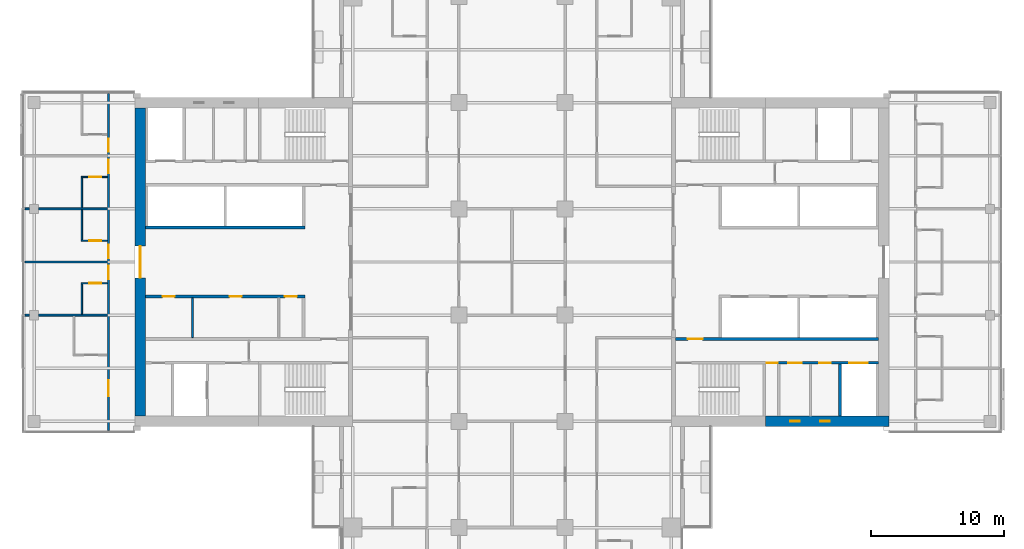
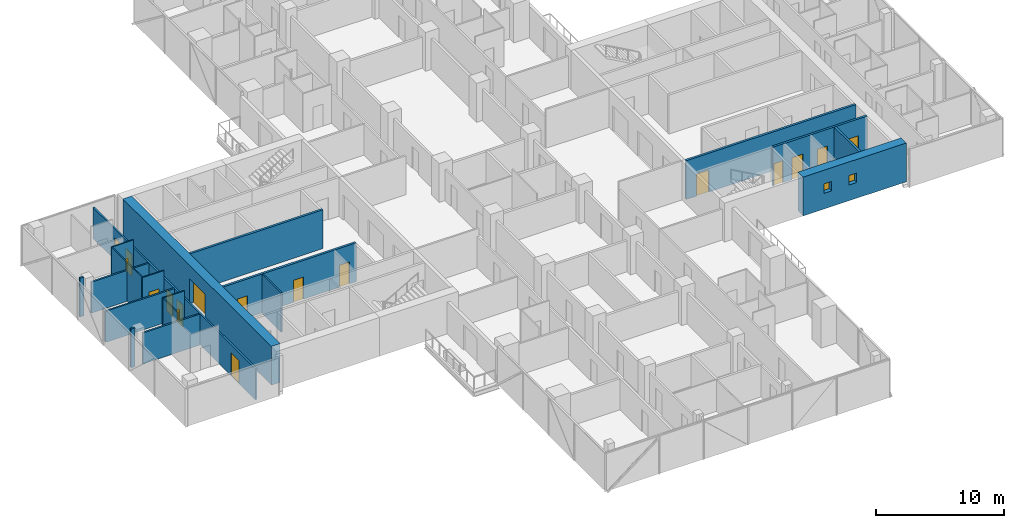
# One storey, part 17 of 27: 20 walls, 17 doors, 2 windows, 19 openings.
"""IFC4 building model written with IfcOpenShell, lengths in metres."""

from ifc_helpers import new_model, si_unit, direction, frame, frame_2d, origin, place, context, subcontext, project, spatial, rectangle, extrude, material, layer, layer_set, constituent, constituent_set, type_object, element, fill, save


model = new_model("IFC4")

# Units and contexts
model_context = context("Model", 3, precision=1e-05, world=origin(), true_north=direction((0.0, 1.0)))
body_context = subcontext(model_context, "Body", "Model", "MODEL_VIEW")
ifc_project = project(units=[si_unit("LENGTHUNIT", "METRE"), si_unit("AREAUNIT", "SQUARE_METRE"), si_unit("VOLUMEUNIT", "CUBIC_METRE"), si_unit("PLANEANGLEUNIT", "RADIAN"), si_unit("MASSUNIT", "GRAM", prefix="KILO")], contexts=[model_context])

# Site, building, storey
site_placement = place(None, origin())
site = spatial("IfcSite", under=ifc_project, at=site_placement, CompositionType="ELEMENT")
building_placement = place(site_placement, origin())
building = spatial("IfcBuilding", under=site, at=building_placement, Name="Crosswind Convention Tower", CompositionType="ELEMENT")
storey_placement = place(building_placement, frame((0.0, 0.0, 86.800048828125)))
storey = spatial("IfcBuildingStorey", under=building, at=storey_placement, Name="L16", CompositionType="ELEMENT", Elevation=86.800048828125)

# Wall, opening, door
ifc_material_1 = material(Name="Concrete C60/75", Category="concrete")
ifc_layer_1 = layer(ifc_material_1, 0.800048828125)
ifc_layer_set_1 = layer_set([ifc_layer_1], Name="Concrete C60/75")
wall_type_1 = type_object("IfcWallType", Name="Concrete core wall 800", PredefinedType="SHEAR", material=ifc_layer_set_1)
wall_1_placement = place(storey_placement, frame((97.0, 111.60009765625, 0.0), z_axis=(0.0, 0.0, 1.0), x_axis=(0.0, -1.0, 0.0)))
wall_1 = element("IfcWall", 1, at=wall_1_placement, inside=storey, type_object=wall_type_1, Name="Wall O W L16", PredefinedType="SHEAR", context=body_context, shape_type="SweptSolid", body=[
    extrude(rectangle(XDim=23.2001953125, YDim=0.800048828125, at=frame_2d((11.60009765625, 0.0))), origin(), (0.0, 0.0, 1.0), 3.699951171875),
])
opening_1_placement = place(wall_1_placement, frame((10.39990234375, 0.0, 0.0)))
opening_1 = element("IfcOpeningElement", 2, at=opening_1_placement, cuts=wall_1, Name="Opening D100", PredefinedType="OPENING", context=body_context, shape_type="SweptSolid", body=[
    extrude(rectangle(XDim=2.39990234375, YDim=2.39990234375, at=frame_2d((1.199951171875, 1.199951171875))), frame((0.0, 0.409912109375, 0.0), z_axis=(0.0, -1.0, 0.0), x_axis=(1.0, 0.0, 0.0)), (0.0, 0.0, 1.0), 0.820068359375),
])
ifc_material_2 = material(Name="Steel fire door with glazed vision panels", Category="steel")
door_type_1 = type_object("IfcDoorType", Name="Fire-rated double door 2400x2400", OperationType="DOUBLE_DOOR_SINGLE_SWING", PredefinedType="DOOR", material=ifc_material_2)
door_1_placement = place(opening_1_placement, origin())
door_1 = element("IfcDoor", 3, at=door_1_placement, inside=storey, type_object=door_type_1, Name="Lobby outer door L16", ObjectType="D100", OperationType="DOUBLE_DOOR_SINGLE_SWING", OverallHeight=2.39990234375, OverallWidth=2.39990234375, PredefinedType="DOOR", context=body_context, shape_type="SweptSolid", body=[
    extrude(rectangle(XDim=2.39990234375, YDim=2.39990234375, at=frame_2d((1.199951171875, 1.199951171875))), frame((0.0, 0.02490234375, 0.0), z_axis=(0.0, -1.0, 0.0), x_axis=(1.0, 0.0, 0.0)), (0.0, 0.0, 1.0), 0.050048828125),
])
fill(opening_1, door_1)

ifc_material_3 = material(Name="Concrete C50/60", Category="concrete")
ifc_layer_2 = layer(ifc_material_3, 0.199951171875)
ifc_layer_set_2 = layer_set([ifc_layer_2], Name="Concrete C50/60")
wall_type_2 = type_object("IfcWallType", Name="Concrete shaft and stair wall 200", PredefinedType="SHEAR", material=ifc_layer_set_2)
wall_2_placement = place(storey_placement, frame((137.300048828125, 94.199951171875, 0.0), z_axis=(0.0, 0.0, 1.0), x_axis=(1.0, 0.0, 0.0)))
wall_2 = element("IfcWall", 4, at=wall_2_placement, inside=storey, type_object=wall_type_2, Name="Wall HM E L16", PredefinedType="SHEAR", context=body_context, shape_type="SweptSolid", body=[
    extrude(rectangle(XDim=15.300048828125, YDim=0.199951171875, at=frame_2d((7.64990234375, 0.0))), origin(), (0.0, 0.0, 1.0), 3.699951171875),
])
opening_2_placement = place(wall_2_placement, frame((0.949951171875, 0.0, 0.0)))
opening_2 = element("IfcOpeningElement", 5, at=opening_2_placement, cuts=wall_2, Name="Opening D104", PredefinedType="OPENING", context=body_context, shape_type="SweptSolid", body=[
    extrude(rectangle(XDim=1.10009765625, YDim=2.10009765625, at=frame_2d((0.550048828125, 1.050048828125))), frame((0.0, 0.10986328125, 0.0), z_axis=(0.0, -1.0, 0.0), x_axis=(1.0, 0.0, 0.0)), (0.0, 0.0, 1.0), 0.219970703125),
])
ifc_material_4 = material(Name="Steel fire door", Category="steel")
door_type_2 = type_object("IfcDoorType", Name="Fire-rated single door 1100x2100", OperationType="NOTDEFINED", PredefinedType="DOOR", material=ifc_material_4)
door_2_placement = place(opening_2_placement, origin())
door_2 = element("IfcDoor", 6, at=door_2_placement, inside=storey, type_object=door_type_2, Name="Corridor door L16", ObjectType="D104", OperationType="SINGLE_SWING_LEFT", OverallHeight=2.10009765625, OverallWidth=1.10009765625, PredefinedType="DOOR", context=body_context, shape_type="SweptSolid", body=[
    extrude(rectangle(XDim=1.10009765625, YDim=2.10009765625, at=frame_2d((0.550048828125, 1.050048828125))), frame((0.0, 0.02490234375, 0.0), z_axis=(0.0, -1.0, 0.0), x_axis=(1.0, 0.0, 0.0)), (0.0, 0.0, 1.0), 0.050048828125),
])
fill(opening_2, door_2)

# Wall
wall_3_placement = place(storey_placement, frame((149.699951171875, 88.39990234375, 0.0), z_axis=(0.0, 0.0, 1.0), x_axis=(0.0, 1.0, 0.0)))
element("IfcWall", 7, at=wall_3_placement, inside=storey, type_object=wall_type_2, Name="Wall MFSW E L16", PredefinedType="SHEAR", context=body_context, shape_type="SweptSolid", body=[
    extrude(rectangle(XDim=3.900146484375, YDim=0.199951171875, at=frame_2d((1.9501953125, 0.0))), origin(), (0.0, 0.0, 1.0), 3.699951171875),
])

# Wall, openings, doors
wall_4_placement = place(storey_placement, frame((144.10009765625, 92.39990234375, 0.0), z_axis=(0.0, 0.0, 1.0), x_axis=(1.0, 0.0, 0.0)))
wall_4 = element("IfcWall", 8, at=wall_4_placement, inside=storey, type_object=wall_type_2, Name="Wall MCX E L16", PredefinedType="SHEAR", context=body_context, shape_type="SweptSolid", body=[
    extrude(rectangle(XDim=8.5, YDim=0.199951171875, at=frame_2d((4.25, 0.0))), origin(), (0.0, 0.0, 1.0), 3.699951171875),
])
opening_3_placement = place(wall_4_placement, frame((0.10009765625, 0.0, 0.0)))
opening_3 = element("IfcOpeningElement", 9, at=opening_3_placement, cuts=wall_4, Name="Opening D105", PredefinedType="OPENING", context=body_context, shape_type="SweptSolid", body=[
    extrude(rectangle(XDim=0.800048828125, YDim=2.10009765625, at=frame_2d((0.39990234375, 1.050048828125))), frame((0.0, 0.10986328125, 0.0), z_axis=(0.0, -1.0, 0.0), x_axis=(1.0, 0.0, 0.0)), (0.0, 0.0, 1.0), 0.219970703125),
])
opening_4_placement = place(wall_4_placement, frame((1.712646484375, 0.0, 0.0)))
opening_4 = element("IfcOpeningElement", 10, at=opening_4_placement, cuts=wall_4, Name="Opening D103", PredefinedType="OPENING", context=body_context, shape_type="SweptSolid", body=[
    extrude(rectangle(XDim=1.0, YDim=2.10009765625, at=frame_2d((0.5, 1.050048828125))), frame((0.0, 0.10986328125, 0.0), z_axis=(0.0, -1.0, 0.0), x_axis=(1.0, 0.0, 0.0)), (0.0, 0.0, 1.0), 0.219970703125),
])
opening_5_placement = place(wall_4_placement, frame((4.025146484375, 0.0, 0.0)))
opening_5 = element("IfcOpeningElement", 11, at=opening_5_placement, cuts=wall_4, Name="Opening D106", PredefinedType="OPENING", context=body_context, shape_type="SweptSolid", body=[
    extrude(rectangle(XDim=0.89990234375, YDim=2.10009765625, at=frame_2d((0.449951171875, 1.050048828125))), frame((0.0, 0.10986328125, 0.0), z_axis=(0.0, -1.0, 0.0), x_axis=(1.0, 0.0, 0.0)), (0.0, 0.0, 1.0), 0.219970703125),
])
opening_6_placement = place(wall_4_placement, frame((6.300048828125, 0.0, 0.0)))
opening_6 = element("IfcOpeningElement", 12, at=opening_6_placement, cuts=wall_4, Name="Opening LD2", PredefinedType="OPENING", context=body_context, shape_type="SweptSolid", body=[
    extrude(rectangle(XDim=1.39990234375, YDim=2.10009765625, at=frame_2d((0.699951171875, 1.050048828125))), frame((0.0, 0.10986328125, 0.0), z_axis=(0.0, -1.0, 0.0), x_axis=(1.0, 0.0, 0.0)), (0.0, 0.0, 1.0), 0.219970703125),
])
door_type_3 = type_object("IfcDoorType", Name="Fire-rated single door 1000x2100", OperationType="NOTDEFINED", PredefinedType="DOOR", material=ifc_material_4)
door_3_placement = place(opening_4_placement, frame((1.0, 0.0, 0.0), z_axis=(0.0, 0.0, 1.0), x_axis=(-1.0, 0.0, 0.0)))
door_3 = element("IfcDoor", 13, at=door_3_placement, inside=storey, type_object=door_type_3, Name="Door to accessible wc L16", ObjectType="D103", OperationType="SINGLE_SWING_LEFT", OverallHeight=2.10009765625, OverallWidth=1.0, PredefinedType="DOOR", context=body_context, shape_type="SweptSolid", body=[
    extrude(rectangle(XDim=1.0, YDim=2.10009765625, at=frame_2d((0.5, 1.050048828125))), frame((0.0, 0.02490234375, 0.0), z_axis=(0.0, -1.0, 0.0), x_axis=(1.0, 0.0, 0.0)), (0.0, 0.0, 1.0), 0.050048828125),
])
fill(opening_4, door_3)
ifc_material_5 = material(Name="Stainless steel", Category="steel")
door_type_4 = type_object("IfcDoorType", Name="Lift landing door 1400x2100", OperationType="DOUBLE_DOOR_SLIDING", PredefinedType="DOOR", material=ifc_material_5)
door_4_placement = place(opening_6_placement, origin())
door_4 = element("IfcDoor", 14, at=door_4_placement, inside=storey, type_object=door_type_4, Name="Landing door SV1 L16", ObjectType="LD2", OperationType="DOUBLE_DOOR_SLIDING", OverallHeight=2.10009765625, OverallWidth=1.39990234375, PredefinedType="DOOR", context=body_context, shape_type="SweptSolid", body=[
    extrude(rectangle(XDim=1.39990234375, YDim=2.10009765625, at=frame_2d((0.699951171875, 1.050048828125))), frame((0.0, 0.02490234375, 0.0), z_axis=(0.0, -1.0, 0.0), x_axis=(1.0, 0.0, 0.0)), (0.0, 0.0, 1.0), 0.050048828125),
])
fill(opening_6, door_4)
door_type_5 = type_object("IfcDoorType", Name="Riser access door 800x2100", OperationType="NOTDEFINED", PredefinedType="DOOR", material=ifc_material_4)
door_5_placement = place(opening_3_placement, frame((0.800048828125, 0.0, 0.0), z_axis=(0.0, 0.0, 1.0), x_axis=(-1.0, 0.0, 0.0)))
door_5 = element("IfcDoor", 15, at=door_5_placement, inside=storey, type_object=door_type_5, Name="Riser door L16", ObjectType="D105", OperationType="SINGLE_SWING_LEFT", OverallHeight=2.10009765625, OverallWidth=0.800048828125, PredefinedType="DOOR", context=body_context, shape_type="SweptSolid", body=[
    extrude(rectangle(XDim=0.800048828125, YDim=2.10009765625, at=frame_2d((0.39990234375, 1.050048828125))), frame((0.0, 0.02490234375, 0.0), z_axis=(0.0, -1.0, 0.0), x_axis=(1.0, 0.0, 0.0)), (0.0, 0.0, 1.0), 0.050048828125),
])
fill(opening_3, door_5)
ifc_material_6 = material(Name="Timber door", Category="wood")
door_type_6 = type_object("IfcDoorType", Name="Single leaf door 900x2100", OperationType="NOTDEFINED", PredefinedType="DOOR", material=ifc_material_6)
door_6_placement = place(opening_5_placement, frame((0.89990234375, 0.0, 0.0), z_axis=(0.0, 0.0, 1.0), x_axis=(-1.0, 0.0, 0.0)))
door_6 = element("IfcDoor", 16, at=door_6_placement, inside=storey, type_object=door_type_6, Name="Door to wc L16", ObjectType="D106", OperationType="SINGLE_SWING_LEFT", OverallHeight=2.10009765625, OverallWidth=0.89990234375, PredefinedType="DOOR", context=body_context, shape_type="SweptSolid", body=[
    extrude(rectangle(XDim=0.89990234375, YDim=2.10009765625, at=frame_2d((0.449951171875, 1.050048828125))), frame((0.0, 0.02490234375, 0.0), z_axis=(0.0, -1.0, 0.0), x_axis=(1.0, 0.0, 0.0)), (0.0, 0.0, 1.0), 0.050048828125),
])
fill(opening_5, door_6)

wall_5_placement = place(storey_placement, frame((109.39990234375, 97.39990234375, 0.0), z_axis=(0.0, 0.0, 1.0), x_axis=(-1.0, 0.0, 0.0)))
wall_5 = element("IfcWall", 17, at=wall_5_placement, inside=storey, type_object=wall_type_2, Name="Wall RPFRONT W L16", PredefinedType="SHEAR", context=body_context, shape_type="SweptSolid", body=[
    extrude(rectangle(XDim=12.0, YDim=0.199951171875, at=frame_2d((6.0, 0.0))), origin(), (0.0, 0.0, 1.0), 3.699951171875),
])
opening_7_placement = place(wall_5_placement, frame((0.603759765625, 0.0, 0.0)))
opening_7 = element("IfcOpeningElement", 18, at=opening_7_placement, cuts=wall_5, Name="Opening D106", PredefinedType="OPENING", context=body_context, shape_type="SweptSolid", body=[
    extrude(rectangle(XDim=0.89990234375, YDim=2.10009765625, at=frame_2d((0.449951171875, 1.050048828125))), frame((0.0, 0.10986328125, 0.0), z_axis=(0.0, -1.0, 0.0), x_axis=(1.0, 0.0, 0.0)), (0.0, 0.0, 1.0), 0.219970703125),
])
opening_8_placement = place(wall_5_placement, frame((4.764892578125, 0.0, 0.0)))
opening_8 = element("IfcOpeningElement", 19, at=opening_8_placement, cuts=wall_5, Name="Opening D106", PredefinedType="OPENING", context=body_context, shape_type="SweptSolid", body=[
    extrude(rectangle(XDim=0.89990234375, YDim=2.10009765625, at=frame_2d((0.449951171875, 1.050048828125))), frame((0.0, 0.10986328125, 0.0), z_axis=(0.0, -1.0, 0.0), x_axis=(1.0, 0.0, 0.0)), (0.0, 0.0, 1.0), 0.219970703125),
])
opening_9_placement = place(wall_5_placement, frame((9.811279296875, 0.0, 0.0)))
opening_9 = element("IfcOpeningElement", 20, at=opening_9_placement, cuts=wall_5, Name="Opening D106", PredefinedType="OPENING", context=body_context, shape_type="SweptSolid", body=[
    extrude(rectangle(XDim=0.89990234375, YDim=2.10009765625, at=frame_2d((0.449951171875, 1.050048828125))), frame((0.0, 0.10986328125, 0.0), z_axis=(0.0, -1.0, 0.0), x_axis=(1.0, 0.0, 0.0)), (0.0, 0.0, 1.0), 0.219970703125),
])
door_7_placement = place(opening_7_placement, origin())
door_7 = element("IfcDoor", 21, at=door_7_placement, inside=storey, type_object=door_type_6, Name="Door to ice and vending room L16", ObjectType="D106", OperationType="SINGLE_SWING_RIGHT", OverallHeight=2.10009765625, OverallWidth=0.89990234375, PredefinedType="DOOR", context=body_context, shape_type="SweptSolid", body=[
    extrude(rectangle(XDim=0.89990234375, YDim=2.10009765625, at=frame_2d((0.449951171875, 1.050048828125))), frame((0.0, 0.02490234375, 0.0), z_axis=(0.0, -1.0, 0.0), x_axis=(1.0, 0.0, 0.0)), (0.0, 0.0, 1.0), 0.050048828125),
])
fill(opening_7, door_7)
door_8_placement = place(opening_8_placement, origin())
door_8 = element("IfcDoor", 22, at=door_8_placement, inside=storey, type_object=door_type_6, Name="Door to storeroom L16", ObjectType="D106", OperationType="SINGLE_SWING_RIGHT", OverallHeight=2.10009765625, OverallWidth=0.89990234375, PredefinedType="DOOR", context=body_context, shape_type="SweptSolid", body=[
    extrude(rectangle(XDim=0.89990234375, YDim=2.10009765625, at=frame_2d((0.449951171875, 1.050048828125))), frame((0.0, 0.02490234375, 0.0), z_axis=(0.0, -1.0, 0.0), x_axis=(1.0, 0.0, 0.0)), (0.0, 0.0, 1.0), 0.050048828125),
])
fill(opening_8, door_8)
door_9_placement = place(opening_9_placement, origin())
door_9 = element("IfcDoor", 23, at=door_9_placement, inside=storey, type_object=door_type_6, Name="Door to housekeeping store L16", ObjectType="D106", OperationType="SINGLE_SWING_RIGHT", OverallHeight=2.10009765625, OverallWidth=0.89990234375, PredefinedType="DOOR", context=body_context, shape_type="SweptSolid", body=[
    extrude(rectangle(XDim=0.89990234375, YDim=2.10009765625, at=frame_2d((0.449951171875, 1.050048828125))), frame((0.0, 0.02490234375, 0.0), z_axis=(0.0, -1.0, 0.0), x_axis=(1.0, 0.0, 0.0)), (0.0, 0.0, 1.0), 0.050048828125),
])
fill(opening_9, door_9)

# Walls
wall_6_placement = place(storey_placement, frame((109.39990234375, 102.60009765625, 0.0), z_axis=(0.0, 0.0, 1.0), x_axis=(-1.0, 0.0, 0.0)))
element("IfcWall", 24, at=wall_6_placement, inside=storey, type_object=wall_type_2, Name="Wall RMFRONT W L16", PredefinedType="SHEAR", context=body_context, shape_type="SweptSolid", body=[
    extrude(rectangle(XDim=12.0, YDim=0.199951171875, at=frame_2d((6.0, 0.0))), origin(), (0.0, 0.0, 1.0), 3.699951171875),
])
ifc_material_7 = material(Name="Gypsum plasterboard partition", Category="gypsum")
ifc_layer_3 = layer(ifc_material_7, 0.125)
ifc_layer_set_3 = layer_set([ifc_layer_3], Name="Drywall partition wall 125")
wall_type_3 = type_object("IfcWallType", Name="Drywall partition wall 125", PredefinedType="PARTITIONING", material=ifc_layer_set_3)
wall_7_placement = place(storey_placement, frame((100.93994140625, 97.300048828125, 0.0), z_axis=(0.0, 0.0, 1.0), x_axis=(0.0, -1.0, 0.0)))
element("IfcWall", 25, at=wall_7_placement, inside=storey, type_object=wall_type_3, Name="Wall RPP2 W L16", PredefinedType="PARTITIONING", context=body_context, shape_type="SweptSolid", body=[
    extrude(rectangle(XDim=3.0, YDim=0.125, at=frame_2d((1.5, 0.0))), origin(), (0.0, 0.0, 1.0), 3.699951171875),
])
ifc_material_8 = material(Name="Acoustic plasterboard partition", Category="gypsum")
ifc_layer_4 = layer(ifc_material_8, 0.14990234375)
ifc_layer_set_4 = layer_set([ifc_layer_4], Name="GUEST ROOM WALL 150")
wall_type_4 = type_object("IfcWallType", Name="GUEST ROOM WALL 150", PredefinedType="PARTITIONING", material=ifc_layer_set_4)
wall_8_placement = place(storey_placement, frame((88.300048828125, 96.0, 0.0), z_axis=(0.0, 0.0, 1.0), x_axis=(1.0, 0.0, 0.0)))
element("IfcWall", 26, at=wall_8_placement, inside=storey, type_object=wall_type_4, Name="Guest Room Wall 21", PredefinedType="PARTITIONING", context=body_context, shape_type="SweptSolid", body=[
    extrude(rectangle(XDim=0.349853515625, YDim=0.14990234375, at=frame_2d((0.1748046875, 0.0))), origin(), (0.0, 0.0, 1.0), 3.699951171875),
])
wall_9_placement = place(storey_placement, frame((89.35009765625, 96.0, 0.0), z_axis=(0.0, 0.0, 1.0), x_axis=(1.0, 0.0, 0.0)))
element("IfcWall", 27, at=wall_9_placement, inside=storey, type_object=wall_type_4, Name="Guest Room Wall 22", PredefinedType="PARTITIONING", context=body_context, shape_type="SweptSolid", body=[
    extrude(rectangle(XDim=5.1748046875, YDim=0.14990234375, at=frame_2d((2.58740234375, 0.0))), origin(), (0.0, 0.0, 1.0), 2.956298828125),
])
wall_10_placement = place(storey_placement, frame((88.300048828125, 100.0, 0.0), z_axis=(0.0, 0.0, 1.0), x_axis=(1.0, 0.0, 0.0)))
element("IfcWall", 28, at=wall_10_placement, inside=storey, type_object=wall_type_4, Name="Guest Room Wall 28", PredefinedType="PARTITIONING", context=body_context, shape_type="SweptSolid", body=[
    extrude(rectangle(XDim=6.224853515625, YDim=0.14990234375, at=frame_2d((3.1123046875, 0.0))), origin(), (0.0, 0.0, 1.0), 2.962646484375),
])
wall_11_placement = place(storey_placement, frame((88.300048828125, 104.0, 0.0), z_axis=(0.0, 0.0, 1.0), x_axis=(1.0, 0.0, 0.0)))
element("IfcWall", 29, at=wall_11_placement, inside=storey, type_object=wall_type_4, Name="Guest Room Wall 34", PredefinedType="PARTITIONING", context=body_context, shape_type="SweptSolid", body=[
    extrude(rectangle(XDim=0.349853515625, YDim=0.14990234375, at=frame_2d((0.1748046875, 0.0))), origin(), (0.0, 0.0, 1.0), 3.699951171875),
])
wall_12_placement = place(storey_placement, frame((89.35009765625, 104.0, 0.0), z_axis=(0.0, 0.0, 1.0), x_axis=(1.0, 0.0, 0.0)))
element("IfcWall", 30, at=wall_12_placement, inside=storey, type_object=wall_type_4, Name="Guest Room Wall 35", PredefinedType="PARTITIONING", context=body_context, shape_type="SweptSolid", body=[
    extrude(rectangle(XDim=5.1748046875, YDim=0.14990234375, at=frame_2d((2.58740234375, 0.0))), origin(), (0.0, 0.0, 1.0), 2.956298828125),
])

# Wall, openings, doors
wall_13_placement = place(storey_placement, frame((94.60009765625, 87.300048828125, 0.0), z_axis=(0.0, 0.0, 1.0), x_axis=(0.0, 1.0, 0.0)))
wall_13 = element("IfcWall", 31, at=wall_13_placement, inside=storey, type_object=wall_type_4, Name="Guest Room Wall 71", PredefinedType="PARTITIONING", context=body_context, shape_type="SweptSolid", body=[
    extrude(rectangle(XDim=25.39990234375, YDim=0.14990234375, at=frame_2d((12.699951171875, 0.0))), origin(), (0.0, 0.0, 1.0), 2.956298828125),
])
opening_10_placement = place(wall_13_placement, frame((2.60009765625, 0.0, 0.0)))
opening_10 = element("IfcOpeningElement", 32, at=opening_10_placement, cuts=wall_13, Name="Opening 16.040", PredefinedType="OPENING", context=body_context, shape_type="SweptSolid", body=[
    extrude(rectangle(XDim=1.199951171875, YDim=2.199951171875, at=frame_2d((0.60009765625, 1.10009765625))), frame((0.0, 0.0849609375, 0.0), z_axis=(0.0, -1.0, 0.0), x_axis=(1.0, 0.0, 0.0)), (0.0, 0.0, 1.0), 0.169921875),
])
opening_11_placement = place(wall_13_placement, frame((11.39990234375, 0.0, 0.0)))
opening_11 = element("IfcOpeningElement", 33, at=opening_11_placement, cuts=wall_13, Name="Opening 16.042", PredefinedType="OPENING", context=body_context, shape_type="SweptSolid", body=[
    extrude(rectangle(XDim=1.0, YDim=2.10009765625, at=frame_2d((0.5, 1.050048828125))), frame((0.0, 0.0849609375, 0.0), z_axis=(0.0, -1.0, 0.0), x_axis=(1.0, 0.0, 0.0)), (0.0, 0.0, 1.0), 0.169921875),
])
opening_12_placement = place(wall_13_placement, frame((13.0, 0.0, 0.0)))
opening_12 = element("IfcOpeningElement", 34, at=opening_12_placement, cuts=wall_13, Name="Opening 16.044", PredefinedType="OPENING", context=body_context, shape_type="SweptSolid", body=[
    extrude(rectangle(XDim=1.0, YDim=2.10009765625, at=frame_2d((0.5, 1.050048828125))), frame((0.0, 0.0849609375, 0.0), z_axis=(0.0, -1.0, 0.0), x_axis=(1.0, 0.0, 0.0)), (0.0, 0.0, 1.0), 0.169921875),
])
opening_13_placement = place(wall_13_placement, frame((19.39990234375, 0.0, 0.0)))
opening_13 = element("IfcOpeningElement", 35, at=opening_13_placement, cuts=wall_13, Name="Opening 16.046", PredefinedType="OPENING", context=body_context, shape_type="SweptSolid", body=[
    extrude(rectangle(XDim=1.0, YDim=2.10009765625, at=frame_2d((0.5, 1.050048828125))), frame((0.0, 0.0849609375, 0.0), z_axis=(0.0, -1.0, 0.0), x_axis=(1.0, 0.0, 0.0)), (0.0, 0.0, 1.0), 0.169921875),
])
opening_14_placement = place(wall_13_placement, frame((21.0, 0.0, 0.0)))
opening_14 = element("IfcOpeningElement", 36, at=opening_14_placement, cuts=wall_13, Name="Opening 16.048", PredefinedType="OPENING", context=body_context, shape_type="SweptSolid", body=[
    extrude(rectangle(XDim=1.0, YDim=2.10009765625, at=frame_2d((0.5, 1.050048828125))), frame((0.0, 0.0849609375, 0.0), z_axis=(0.0, -1.0, 0.0), x_axis=(1.0, 0.0, 0.0)), (0.0, 0.0, 1.0), 0.169921875),
])
ifc_material_9 = material(Name="Timber fire door", Category="wood")
door_type_7 = type_object("IfcDoorType", Name="GUEST ROOM DOOR 1000X2100", OperationType="NOTDEFINED", PredefinedType="DOOR", material=ifc_material_9)
door_10_placement = place(opening_11_placement, origin())
door_10 = element("IfcDoor", 37, at=door_10_placement, inside=storey, type_object=door_type_7, Name="Door 16.042", ObjectType="D1", OperationType="SINGLE_SWING_RIGHT", OverallHeight=2.10009765625, OverallWidth=1.0, PredefinedType="DOOR", context=body_context, shape_type="SweptSolid", body=[
    extrude(rectangle(XDim=1.0, YDim=2.10009765625, at=frame_2d((0.5, 1.050048828125))), frame((0.0, 0.02490234375, 0.0), z_axis=(0.0, -1.0, 0.0), x_axis=(1.0, 0.0, 0.0)), (0.0, 0.0, 1.0), 0.050048828125),
])
fill(opening_11, door_10)
door_11_placement = place(opening_12_placement, origin())
door_11 = element("IfcDoor", 38, at=door_11_placement, inside=storey, type_object=door_type_7, Name="Door 16.044", ObjectType="D1", OperationType="SINGLE_SWING_RIGHT", OverallHeight=2.10009765625, OverallWidth=1.0, PredefinedType="DOOR", context=body_context, shape_type="SweptSolid", body=[
    extrude(rectangle(XDim=1.0, YDim=2.10009765625, at=frame_2d((0.5, 1.050048828125))), frame((0.0, 0.02490234375, 0.0), z_axis=(0.0, -1.0, 0.0), x_axis=(1.0, 0.0, 0.0)), (0.0, 0.0, 1.0), 0.050048828125),
])
fill(opening_12, door_11)
door_12_placement = place(opening_13_placement, origin())
door_12 = element("IfcDoor", 39, at=door_12_placement, inside=storey, type_object=door_type_7, Name="Door 16.046", ObjectType="D1", OperationType="SINGLE_SWING_RIGHT", OverallHeight=2.10009765625, OverallWidth=1.0, PredefinedType="DOOR", context=body_context, shape_type="SweptSolid", body=[
    extrude(rectangle(XDim=1.0, YDim=2.10009765625, at=frame_2d((0.5, 1.050048828125))), frame((0.0, 0.02490234375, 0.0), z_axis=(0.0, -1.0, 0.0), x_axis=(1.0, 0.0, 0.0)), (0.0, 0.0, 1.0), 0.050048828125),
])
fill(opening_13, door_12)
door_13_placement = place(opening_14_placement, origin())
door_13 = element("IfcDoor", 40, at=door_13_placement, inside=storey, type_object=door_type_7, Name="Door 16.048", ObjectType="D1", OperationType="SINGLE_SWING_RIGHT", OverallHeight=2.10009765625, OverallWidth=1.0, PredefinedType="DOOR", context=body_context, shape_type="SweptSolid", body=[
    extrude(rectangle(XDim=1.0, YDim=2.10009765625, at=frame_2d((0.5, 1.050048828125))), frame((0.0, 0.02490234375, 0.0), z_axis=(0.0, -1.0, 0.0), x_axis=(1.0, 0.0, 0.0)), (0.0, 0.0, 1.0), 0.050048828125),
])
fill(opening_14, door_13)
door_type_8 = type_object("IfcDoorType", Name="SUITE DOOR 1200X2200", OperationType="DOUBLE_DOOR_SINGLE_SWING", PredefinedType="DOOR", material=ifc_material_9)
door_14_placement = place(opening_10_placement, origin())
door_14 = element("IfcDoor", 41, at=door_14_placement, inside=storey, type_object=door_type_8, Name="Door 16.040", ObjectType="D14", OperationType="DOUBLE_DOOR_SINGLE_SWING", OverallHeight=2.199951171875, OverallWidth=1.199951171875, PredefinedType="DOOR", context=body_context, shape_type="SweptSolid", body=[
    extrude(rectangle(XDim=1.199951171875, YDim=2.199951171875, at=frame_2d((0.60009765625, 1.10009765625))), frame((0.0, 0.02490234375, 0.0), z_axis=(0.0, -1.0, 0.0), x_axis=(1.0, 0.0, 0.0)), (0.0, 0.0, 1.0), 0.050048828125),
])
fill(opening_10, door_14)

# Wall, openings, windows
ifc_constituent_1 = constituent(ifc_material_1, Name="Structure")
ifc_material_10 = material(Name="Terracotta rainscreen", Category="ceramic")
ifc_constituent_2 = constituent(ifc_material_10, Name="Facing")
ifc_constituent_set = constituent_set(constituents=[ifc_constituent_1, ifc_constituent_2], Name="Concrete C60/75, Terracotta rainscreen")
wall_type_5 = type_object("IfcWallType", Name="Terracotta rainscreen on concrete core wall 800", PredefinedType="SHEAR", material=ifc_constituent_set)
wall_14_placement = place(storey_placement, frame((144.10009765625, 88.0, 0.0), z_axis=(0.0, 0.0, 1.0), x_axis=(1.0, 0.0, 0.0)))
wall_14 = element("IfcWall", 42, at=wall_14_placement, inside=storey, type_object=wall_type_5, Name="Wall S2 E L16", PredefinedType="SHEAR", context=body_context, shape_type="SweptSolid", body=[
    extrude(rectangle(XDim=9.2998046875, YDim=0.800048828125, at=frame_2d((4.64990234375, 0.0))), origin(), (0.0, 0.0, 1.0), 3.699951171875),
])
opening_15_placement = place(wall_14_placement, frame((1.86279296875, 0.0, 1.5)))
opening_15 = element("IfcOpeningElement", 43, at=opening_15_placement, cuts=wall_14, Name="Opening W2", PredefinedType="OPENING", context=body_context, shape_type="SweptSolid", body=[
    extrude(rectangle(XDim=0.699951171875, YDim=0.89990234375, at=frame_2d((0.35009765625, 0.449951171875))), frame((0.0, 0.409912109375, 0.0), z_axis=(0.0, -1.0, 0.0), x_axis=(1.0, 0.0, 0.0)), (0.0, 0.0, 1.0), 0.820068359375),
])
opening_16_placement = place(wall_14_placement, frame((4.125244140625, 0.0, 1.5)))
opening_16 = element("IfcOpeningElement", 44, at=opening_16_placement, cuts=wall_14, Name="Opening W2", PredefinedType="OPENING", context=body_context, shape_type="SweptSolid", body=[
    extrude(rectangle(XDim=0.699951171875, YDim=0.89990234375, at=frame_2d((0.35009765625, 0.449951171875))), frame((0.0, 0.409912109375, 0.0), z_axis=(0.0, -1.0, 0.0), x_axis=(1.0, 0.0, 0.0)), (0.0, 0.0, 1.0), 0.820068359375),
])
ifc_material_11 = material(Name="Obscure glass in aluminium frame", Category="aluminium")
window_type = type_object("IfcWindowType", Name="WC window 700x900", PartitioningType="SINGLE_PANEL", PredefinedType="WINDOW", material=ifc_material_11)
window_1_placement = place(opening_15_placement, origin())
window_1 = element("IfcWindow", 45, at=window_1_placement, inside=storey, type_object=window_type, Name="WC window L16", ObjectType="W2", OverallHeight=0.89990234375, OverallWidth=0.699951171875, PartitioningType="SINGLE_PANEL", PredefinedType="WINDOW", context=body_context, shape_type="SweptSolid", body=[
    extrude(rectangle(XDim=0.699951171875, YDim=0.89990234375, at=frame_2d((0.35009765625, 0.449951171875))), frame((0.0, 0.030029296875, 0.0), z_axis=(0.0, -1.0, 0.0), x_axis=(1.0, 0.0, 0.0)), (0.0, 0.0, 1.0), 0.06005859375),
])
fill(opening_15, window_1)
window_2_placement = place(opening_16_placement, origin())
window_2 = element("IfcWindow", 46, at=window_2_placement, inside=storey, type_object=window_type, Name="WC window L16", ObjectType="W2", OverallHeight=0.89990234375, OverallWidth=0.699951171875, PartitioningType="SINGLE_PANEL", PredefinedType="WINDOW", context=body_context, shape_type="SweptSolid", body=[
    extrude(rectangle(XDim=0.699951171875, YDim=0.89990234375, at=frame_2d((0.35009765625, 0.449951171875))), frame((0.0, 0.030029296875, 0.0), z_axis=(0.0, -1.0, 0.0), x_axis=(1.0, 0.0, 0.0)), (0.0, 0.0, 1.0), 0.06005859375),
])
fill(opening_16, window_2)

# Wall, opening, door
ifc_material_12 = material(Name="Water-resistant plasterboard partition", Category="gypsum")
ifc_layer_5 = layer(ifc_material_12, 0.10009765625)
ifc_layer_set_5 = layer_set([ifc_layer_5], Name="WET ROOM PARTITION 100")
wall_type_6 = type_object("IfcWallType", Name="WET ROOM PARTITION 100", PredefinedType="PLUMBINGWALL", material=ifc_layer_set_5)
wall_15_placement = place(storey_placement, frame((92.550048828125, 98.39990234375, 0.0), z_axis=(0.0, 0.0, 1.0), x_axis=(1.0, 0.0, 0.0)))
wall_15 = element("IfcWall", 47, at=wall_15_placement, inside=storey, type_object=wall_type_6, Name="Wet Room Partition 27", PredefinedType="PLUMBINGWALL", context=body_context, shape_type="SweptSolid", body=[
    extrude(rectangle(XDim=1.974853515625, YDim=0.10009765625, at=frame_2d((0.9873046875, 0.0))), origin(), (0.0, 0.0, 1.0), 3.699951171875),
])
opening_17_placement = place(wall_15_placement, frame((0.60009765625, 0.0, 0.0)))
opening_17 = element("IfcOpeningElement", 48, at=opening_17_placement, cuts=wall_15, Name="Opening 16.043", PredefinedType="OPENING", context=body_context, shape_type="SweptSolid", body=[
    extrude(rectangle(XDim=0.89990234375, YDim=2.10009765625, at=frame_2d((0.449951171875, 1.050048828125))), frame((0.0, 0.06005859375, 0.0), z_axis=(0.0, -1.0, 0.0), x_axis=(1.0, 0.0, 0.0)), (0.0, 0.0, 1.0), 0.1201171875),
])
door_type_9 = type_object("IfcDoorType", Name="EN-SUITE DOOR 900X2100", OperationType="NOTDEFINED", PredefinedType="DOOR", material=ifc_material_6)
door_15_placement = place(opening_17_placement, frame((0.89990234375, 0.0, 0.0), z_axis=(0.0, 0.0, 1.0), x_axis=(-1.0, 0.0, 0.0)))
door_15 = element("IfcDoor", 49, at=door_15_placement, inside=storey, type_object=door_type_9, Name="Door 16.043", ObjectType="D2", OperationType="SINGLE_SWING_LEFT", OverallHeight=2.10009765625, OverallWidth=0.89990234375, PredefinedType="DOOR", context=body_context, shape_type="SweptSolid", body=[
    extrude(rectangle(XDim=0.89990234375, YDim=2.10009765625, at=frame_2d((0.449951171875, 1.050048828125))), frame((0.0, 0.02490234375, 0.0), z_axis=(0.0, -1.0, 0.0), x_axis=(1.0, 0.0, 0.0)), (0.0, 0.0, 1.0), 0.050048828125),
])
fill(opening_17, door_15)

wall_16_placement = place(storey_placement, frame((92.550048828125, 101.60009765625, 0.0), z_axis=(0.0, 0.0, 1.0), x_axis=(1.0, 0.0, 0.0)))
wall_16 = element("IfcWall", 50, at=wall_16_placement, inside=storey, type_object=wall_type_6, Name="Wet Room Partition 32", PredefinedType="PLUMBINGWALL", context=body_context, shape_type="SweptSolid", body=[
    extrude(rectangle(XDim=1.974853515625, YDim=0.10009765625, at=frame_2d((0.9873046875, 0.0))), origin(), (0.0, 0.0, 1.0), 3.699951171875),
])
opening_18_placement = place(wall_16_placement, frame((0.60009765625, 0.0, 0.0)))
opening_18 = element("IfcOpeningElement", 51, at=opening_18_placement, cuts=wall_16, Name="Opening 16.045", PredefinedType="OPENING", context=body_context, shape_type="SweptSolid", body=[
    extrude(rectangle(XDim=0.89990234375, YDim=2.10009765625, at=frame_2d((0.449951171875, 1.050048828125))), frame((0.0, 0.06005859375, 0.0), z_axis=(0.0, -1.0, 0.0), x_axis=(1.0, 0.0, 0.0)), (0.0, 0.0, 1.0), 0.1201171875),
])
door_16_placement = place(opening_18_placement, origin())
door_16 = element("IfcDoor", 52, at=door_16_placement, inside=storey, type_object=door_type_9, Name="Door 16.045", ObjectType="D2", OperationType="SINGLE_SWING_RIGHT", OverallHeight=2.10009765625, OverallWidth=0.89990234375, PredefinedType="DOOR", context=body_context, shape_type="SweptSolid", body=[
    extrude(rectangle(XDim=0.89990234375, YDim=2.10009765625, at=frame_2d((0.449951171875, 1.050048828125))), frame((0.0, 0.02490234375, 0.0), z_axis=(0.0, -1.0, 0.0), x_axis=(1.0, 0.0, 0.0)), (0.0, 0.0, 1.0), 0.050048828125),
])
fill(opening_18, door_16)

wall_17_placement = place(storey_placement, frame((92.550048828125, 106.39990234375, 0.0), z_axis=(0.0, 0.0, 1.0), x_axis=(1.0, 0.0, 0.0)))
wall_17 = element("IfcWall", 53, at=wall_17_placement, inside=storey, type_object=wall_type_6, Name="Wet Room Partition 43", PredefinedType="PLUMBINGWALL", context=body_context, shape_type="SweptSolid", body=[
    extrude(rectangle(XDim=1.974853515625, YDim=0.10009765625, at=frame_2d((0.9873046875, 0.0))), origin(), (0.0, 0.0, 1.0), 3.699951171875),
])
opening_19_placement = place(wall_17_placement, frame((0.60009765625, 0.0, 0.0)))
opening_19 = element("IfcOpeningElement", 54, at=opening_19_placement, cuts=wall_17, Name="Opening 16.047", PredefinedType="OPENING", context=body_context, shape_type="SweptSolid", body=[
    extrude(rectangle(XDim=0.89990234375, YDim=2.10009765625, at=frame_2d((0.449951171875, 1.050048828125))), frame((0.0, 0.06005859375, 0.0), z_axis=(0.0, -1.0, 0.0), x_axis=(1.0, 0.0, 0.0)), (0.0, 0.0, 1.0), 0.1201171875),
])
door_17_placement = place(opening_19_placement, frame((0.89990234375, 0.0, 0.0), z_axis=(0.0, 0.0, 1.0), x_axis=(-1.0, 0.0, 0.0)))
door_17 = element("IfcDoor", 55, at=door_17_placement, inside=storey, type_object=door_type_9, Name="Door 16.047", ObjectType="D2", OperationType="SINGLE_SWING_LEFT", OverallHeight=2.10009765625, OverallWidth=0.89990234375, PredefinedType="DOOR", context=body_context, shape_type="SweptSolid", body=[
    extrude(rectangle(XDim=0.89990234375, YDim=2.10009765625, at=frame_2d((0.449951171875, 1.050048828125))), frame((0.0, 0.02490234375, 0.0), z_axis=(0.0, -1.0, 0.0), x_axis=(1.0, 0.0, 0.0)), (0.0, 0.0, 1.0), 0.050048828125),
])
fill(opening_19, door_17)

# Walls
for number, where, z_axis, x_axis, name in (
    (56, (92.60009765625, 96.074951171875, 0.0), (0.0, 0.0, 1.0), (0.0, 1.0, 0.0), "Wet Room Partition 67"),
    (57, (92.60009765625, 101.64990234375, 0.0), (0.0, 0.0, 1.0), (0.0, 1.0, 0.0), "Wet Room Partition 68"),
    (58, (92.60009765625, 104.074951171875, 0.0), (0.0, 0.0, 1.0), (0.0, 1.0, 0.0), "Wet Room Partition 69"),
):
    element("IfcWall", number, at=place(storey_placement, frame(where, z_axis=z_axis, x_axis=x_axis)), inside=storey, type_object=wall_type_6, Name=name, PredefinedType="PLUMBINGWALL", context=body_context, shape_type="SweptSolid", body=[
        extrude(rectangle(XDim=2.275146484375, YDim=0.10009765625, at=frame_2d((1.1376953125, 0.0))), origin(), (0.0, 0.0, 1.0), 3.699951171875),
    ])

save(model, "model.ifc")
